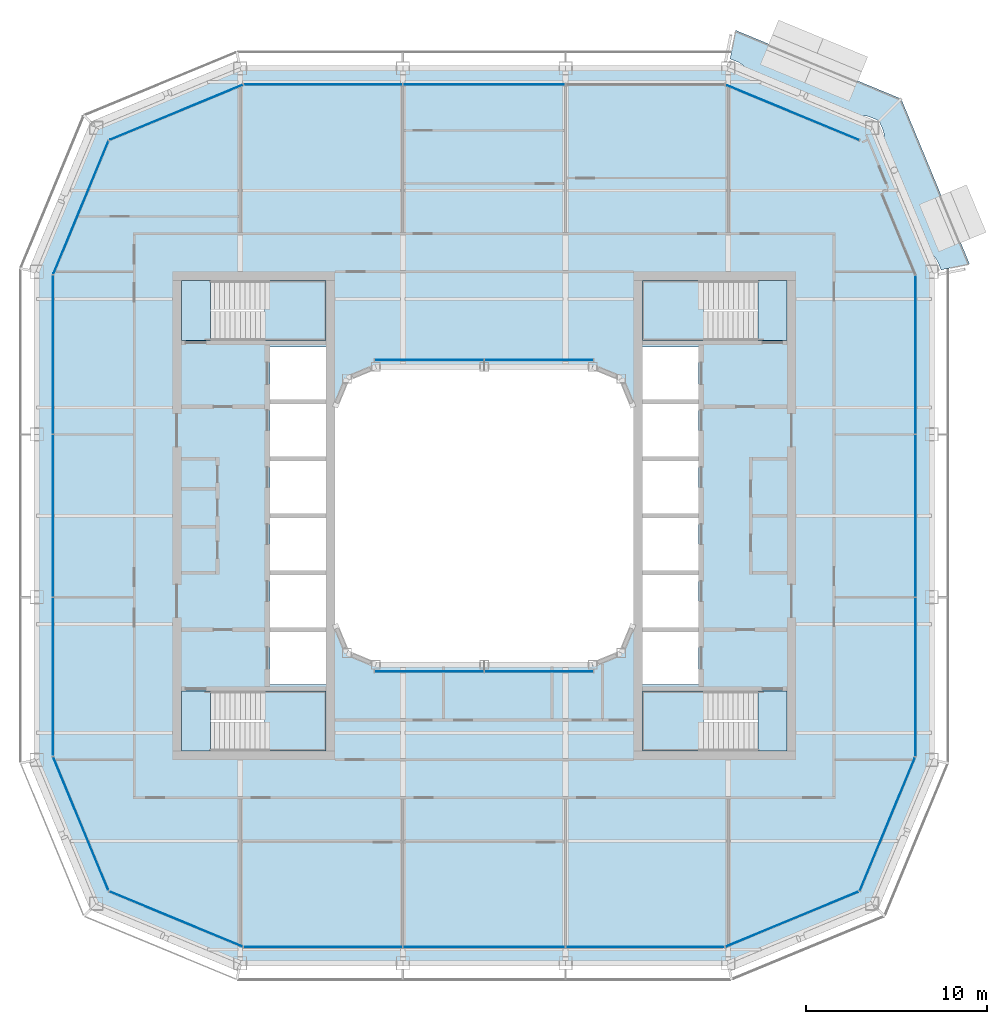
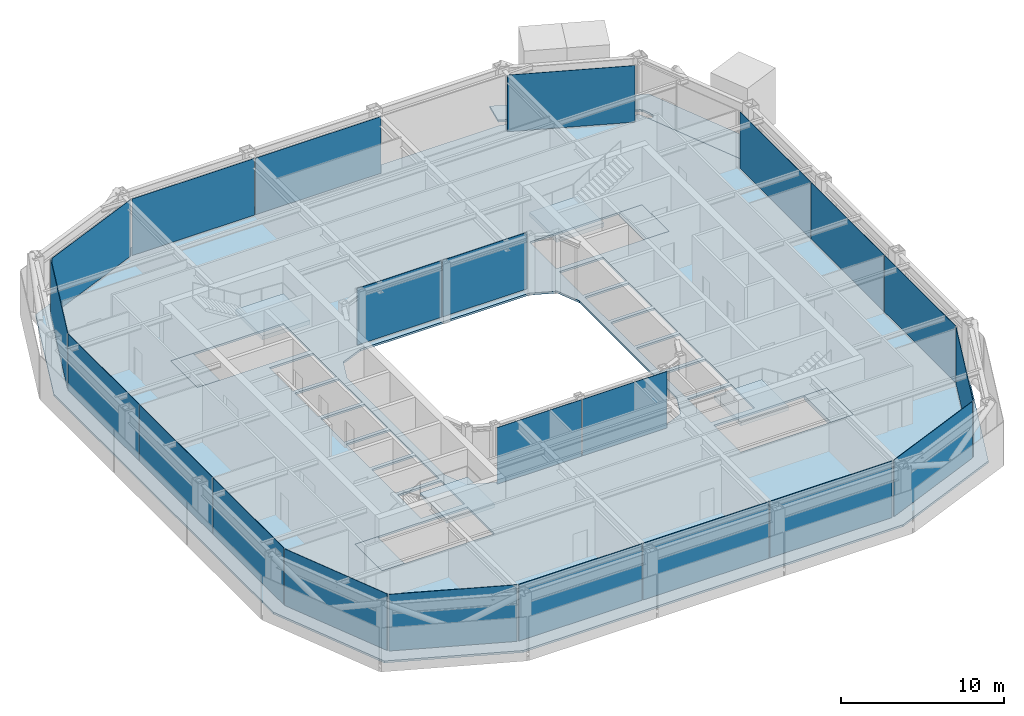
# One storey, part 9 of 20: 22 plates, 10 slabs, 17 elements without a shape of their own.
"""IFC4 building model written with IfcOpenShell, lengths in metres."""

import ifcopenshell
import ifcopenshell.guid

model = None  # the IFC model being written
_history = None  # IfcOwnerHistory: only IFC2X3 demands one
_inside = {}  # id of a spatial element -> (the spatial element, [elements in it])
_under = {}  # id of a project, library or spatial element -> (it, [spatial elements below it])
_declared = {}  # id of a project -> (the project, [libraries it declares])
_typed = {}  # id of a type object -> (the type object, [elements of that type])
_made_of = {}  # id of a material, layer set ... -> (it, [elements and type objects made of it])


def new_model(schema):
    """Start an empty IFC model of exactly this schema.

    Asked for "IFC4X3", IfcOpenShell would pick the latest addendum, in which some entities
    have other attributes; the version numbers below select the first issue.
    IFC2X3 requires an IfcOwnerHistory on every rooted entity: one is made here for all.
    """
    global model, _history
    if schema == "IFC4X3":
        model = ifcopenshell.file(schema_version=(4, 3, 0, 0))
    else:
        model = ifcopenshell.file(schema=schema)
    _inside.clear()
    _under.clear()
    _declared.clear()
    _typed.clear()
    _made_of.clear()
    _history = None
    if model.schema == "IFC2X3":
        org = make("IfcOrganization", Name="unknown")
        user = make(
            "IfcPersonAndOrganization",
            ThePerson=make("IfcPerson", FamilyName="unknown"),
            TheOrganization=org,
        )
        app = make(
            "IfcApplication",
            ApplicationDeveloper=org,
            Version="unknown",
            ApplicationFullName="unknown",
            ApplicationIdentifier="unknown",
        )
        _history = make(
            "IfcOwnerHistory",
            OwningUser=user,
            OwningApplication=app,
            ChangeAction="ADDED",
            CreationDate=0,
        )
    return model


def make(cls, **values):
    """One entity of the class cls with the attributes given. An attribute that is None is left unset."""
    return model.create_entity(
        cls, **{name: value for name, value in values.items() if value is not None}
    )


def rooted(cls, **values):
    """An entity with a GlobalId (a new one), such as an element, a storey or a relation."""
    return make(cls, GlobalId=ifcopenshell.guid.new(), OwnerHistory=_history, **values)


def si_unit(unit_type, name, prefix=None):
    """IfcSIUnit, for example si_unit("LENGTHUNIT", "METRE", prefix="MILLI")."""
    return make("IfcSIUnit", UnitType=unit_type, Prefix=prefix, Name=name)


def assignment(units):
    """IfcUnitAssignment: the units of a project."""
    return None if units is None else make("IfcUnitAssignment", Units=units)


def point(xyz):
    """IfcCartesianPoint."""
    return None if xyz is None else make("IfcCartesianPoint", Coordinates=xyz)


def direction(xyz):
    """IfcDirection."""
    return None if xyz is None else make("IfcDirection", DirectionRatios=xyz)


def frame(location, z_axis=None, x_axis=None):
    """IfcAxis2Placement3D, a coordinate frame: its origin and axes. An axis left out is left unset."""
    return make(
        "IfcAxis2Placement3D",
        Location=point(location),
        Axis=direction(z_axis),
        RefDirection=direction(x_axis),
    )


def frame_2d(location, x_axis=None):
    """IfcAxis2Placement2D, a coordinate frame in the plane: its origin and x axis."""
    return make(
        "IfcAxis2Placement2D", Location=point(location), RefDirection=direction(x_axis)
    )


def origin():
    """The frame at (0, 0, 0) with its axes left unset."""
    return frame((0.0, 0.0, 0.0))


def origin_2d():
    """The frame at (0, 0) in the plane with its x axis left unset."""
    return frame_2d((0.0, 0.0))


def place(relative_to, where):
    """IfcLocalPlacement: puts the frame where relative to a parent placement (None: the world)."""
    return make(
        "IfcLocalPlacement", PlacementRelTo=relative_to, RelativePlacement=where
    )


def context(
    kind, dimensions, precision=None, world=None, true_north=None, identifier=None
):
    """IfcGeometricRepresentationContext, for example the 3D "Model" context."""
    return make(
        "IfcGeometricRepresentationContext",
        ContextIdentifier=identifier,
        ContextType=kind,
        CoordinateSpaceDimension=dimensions,
        Precision=precision,
        WorldCoordinateSystem=world,
        TrueNorth=true_north,
    )


def subcontext(parent, identifier, kind, view, scale=None):
    """IfcGeometricRepresentationSubContext, for example "Body" below "Model"."""
    return make(
        "IfcGeometricRepresentationSubContext",
        ContextIdentifier=identifier,
        ContextType=kind,
        ParentContext=parent,
        TargetScale=scale,
        TargetView=view,
    )


def project(units=None, contexts=None):
    """IfcProject with its units and contexts."""
    return rooted(
        "IfcProject",
        Name="project",
        RepresentationContexts=contexts,
        UnitsInContext=assignment(units),
    )


def spatial(cls, under=None, at=None, **own):
    """A site, building, storey or space (cls), placed at a placement, below another one or the project."""
    s = rooted(cls, ObjectPlacement=at, **own)
    if under is not None:
        _under.setdefault(under.id(), (under, []))[1].append(s)
    return s


def polyline(points):
    """IfcPolyline through the points."""
    return make("IfcPolyline", Points=[point(p) for p in points])


def profile(cls, at=None, kind="AREA", **sizes):
    """A parametric profile (cls). Its sizes go by their IFC names, for example OverallWidth=200.0."""
    return make(cls, ProfileType=kind, Position=at, **sizes)


def rectangle(**sizes):
    """IfcRectangleProfileDef."""
    return profile("IfcRectangleProfileDef", **sizes)


def outline(outer, holes=None, kind="AREA"):
    """IfcArbitraryClosedProfileDef: a profile drawn as a closed curve; with holes, ...WithVoids."""
    if holes is None:
        return make("IfcArbitraryClosedProfileDef", ProfileType=kind, OuterCurve=outer)
    return make(
        "IfcArbitraryProfileDefWithVoids",
        ProfileType=kind,
        OuterCurve=outer,
        InnerCurves=holes,
    )


def extrude(swept, where, along, depth):
    """IfcExtrudedAreaSolid: the profile swept, set in the frame where, extruded along a direction by depth."""
    return make(
        "IfcExtrudedAreaSolid",
        SweptArea=swept,
        Position=where,
        ExtrudedDirection=direction(along),
        Depth=depth,
    )


def shape(context_of_items, identifier, shape_type, items):
    """IfcShapeRepresentation: the items that make up one representation, for example the "Body"."""
    return make(
        "IfcShapeRepresentation",
        ContextOfItems=context_of_items,
        RepresentationIdentifier=identifier,
        RepresentationType=shape_type,
        Items=items,
    )


def material(Name=None, Category=None):
    """IfcMaterial."""
    return make("IfcMaterial", Name=Name, Category=Category)


def layer(
    of_material, thickness, ventilated=None, Name=None, Category=None, Priority=None
):
    """IfcMaterialLayer: one layer of a wall or slab, of a material (None: an air gap)."""
    return make(
        "IfcMaterialLayer",
        Material=of_material,
        LayerThickness=thickness,
        IsVentilated=ventilated,
        Name=Name,
        Category=Category,
        Priority=Priority,
    )


def layer_set(layers, Name=None):
    """IfcMaterialLayerSet."""
    return make("IfcMaterialLayerSet", MaterialLayers=layers, LayerSetName=Name)


def made_of(thing, what):
    """Note that an element or type object is made of a material, layer set ...; save() writes the relation."""
    if what is not None:
        _made_of.setdefault(what.id(), (what, []))[1].append(thing)
    return thing


def type_object(cls, material=None, **own):
    """A type object (cls), such as IfcWallType, which elements share."""
    return made_of(rooted(cls, **own), material)


def element(
    cls,
    number,
    at=None,
    inside=None,
    cuts=None,
    type_object=None,
    material=None,
    context=None,
    identifier="Body",
    shape_type=None,
    held_by="IfcProductDefinitionShape",
    body=None,
    shapes=None,
    **own,
):
    """One element of the class cls, such as IfcWall. Its Tag is "e" and its number.

    at: its placement. inside: the storey or other place that contains it. cuts: it is an
    opening in that element (IfcRelVoidsElement). A single representation is given by context,
    identifier, shape_type and body (its items); several are given by shapes. held_by: the class
    of the entity that holds the representations. save() writes the other relations.
    """
    e = rooted(cls, Tag="e%d" % number, ObjectPlacement=at, **own)
    if body is not None:
        shapes = [shape(context, identifier, shape_type, body)]
    if shapes is not None:
        e.Representation = make(held_by, Representations=shapes)
    if inside is not None:
        _inside.setdefault(inside.id(), (inside, []))[1].append(e)
    if cuts is not None:
        rooted(
            "IfcRelVoidsElement", RelatingBuildingElement=cuts, RelatedOpeningElement=e
        )
    if type_object is not None:
        _typed.setdefault(type_object.id(), (type_object, []))[1].append(e)
    return made_of(e, material)


def aggregate(whole, parts):
    """IfcRelAggregates: a whole, such as a stair, and the parts it consists of."""
    return rooted("IfcRelAggregates", RelatingObject=whole, RelatedObjects=parts)


def save(model, path):
    """Write the relations noted so far, then the file.

    IfcRelAggregates (storeys below a building ...), IfcRelContainedInSpatialStructure (elements
    in a storey), IfcRelDefinesByType, IfcRelAssociatesMaterial and IfcRelDeclares: one each for
    every whole, place, type object, material and project.
    """
    for whole, parts in _under.values():
        aggregate(whole, parts)
    for where, things in _inside.values():
        rooted(
            "IfcRelContainedInSpatialStructure",
            RelatedElements=things,
            RelatingStructure=where,
        )
    for kind, things in _typed.values():
        rooted("IfcRelDefinesByType", RelatedObjects=things, RelatingType=kind)
    for what, things in _made_of.values():
        rooted("IfcRelAssociatesMaterial", RelatedObjects=things, RelatingMaterial=what)
    for by, libraries in _declared.values():
        rooted("IfcRelDeclares", RelatingContext=by, RelatedDefinitions=libraries)
    model.write(path)


model = new_model("IFC4")

# Units and contexts
model_context = context("Model", 3, precision=1e-05, world=origin(), true_north=direction((0.0, 1.0)))
body_context = subcontext(model_context, "Body", "Model", "MODEL_VIEW")
ifc_project = project(units=[si_unit("LENGTHUNIT", "METRE"), si_unit("AREAUNIT", "SQUARE_METRE"), si_unit("VOLUMEUNIT", "CUBIC_METRE"), si_unit("PLANEANGLEUNIT", "RADIAN"), si_unit("MASSUNIT", "GRAM", prefix="KILO")], contexts=[model_context])

# Site, building, storey
site_placement = place(None, origin())
site = spatial("IfcSite", under=ifc_project, at=site_placement, CompositionType="ELEMENT")
building_placement = place(site_placement, origin())
building = spatial("IfcBuilding", under=site, at=building_placement, Name="Siwar Civic Tower", CompositionType="ELEMENT")
storey_placement = place(building_placement, frame((0.0, 0.0, 307.699951171875)))
storey = spatial("IfcBuildingStorey", under=building, at=storey_placement, Name="L66", CompositionType="ELEMENT", Elevation=307.699951171875)

# Stair, slabs
ifc_material_1 = material(Name="Concrete C40/50", Category="concrete")
stair_type = type_object("IfcStairType", Name="CORE-STAIR", PredefinedType="TWO_STRAIGHT_RUN_STAIR", material=ifc_material_1)
stair_1_placement = place(storey_placement, origin())
stair_1 = element("IfcStair", 1, at=stair_1_placement, inside=storey, type_object=stair_type, Name="Exit stair ST1", PredefinedType="TWO_STRAIGHT_RUN_STAIR")
ifc_material_2 = material(Name="Concrete C40/50", Category="concrete")
ifc_layer_1 = layer(ifc_material_2, 0.300048828125)
ifc_layer_set_1 = layer_set([ifc_layer_1], Name="Concrete C40/50")
slab_type_1 = type_object("IfcSlabType", Name="CORE-STAIR-LANDING", PredefinedType="LANDING", material=ifc_layer_set_1)
slab_1_placement = place(storey_placement, frame((0.0, 0.0, -0.300048828125)))
slab_1 = element("IfcSlab", 2, at=slab_1_placement, type_object=slab_type_1, Name="ST1 landing 1", PredefinedType="LANDING", context=body_context, shape_type="SweptSolid", body=[
    extrude(outline(polyline([(-15.14990234375, 13.0), (-16.75, 13.0), (-16.75, 9.699951171875), (-15.14990234375, 9.699951171875), (-15.14990234375, 13.0)])), origin(), (0.0, 0.0, 1.0), 0.300048828125),
])
slab_2_placement = place(storey_placement, frame((0.0, 0.0, 1.949951171875)))
slab_2 = element("IfcSlab", 3, at=slab_2_placement, type_object=slab_type_1, Name="ST1 landing 2", PredefinedType="LANDING", context=body_context, shape_type="SweptSolid", body=[
    extrude(outline(polyline([(-8.75, 13.0), (-12.139892578125, 13.0), (-12.139892578125, 9.699951171875), (-8.75, 9.699951171875), (-8.75, 13.0)])), origin(), (0.0, 0.0, 1.0), 0.300048828125),
])
aggregate(stair_1, [slab_1, slab_2])

stair_2_placement = place(storey_placement, origin())
stair_2 = element("IfcStair", 4, at=stair_2_placement, inside=storey, type_object=stair_type, Name="Exit stair ST2", PredefinedType="TWO_STRAIGHT_RUN_STAIR")
slab_3_placement = place(storey_placement, frame((0.0, 0.0, -0.300048828125)))
slab_3 = element("IfcSlab", 5, at=slab_3_placement, type_object=slab_type_1, Name="ST2 landing 1", PredefinedType="LANDING", context=body_context, shape_type="SweptSolid", body=[
    extrude(outline(polyline([(-15.14990234375, -9.699951171875), (-16.75, -9.699951171875), (-16.75, -13.0), (-15.14990234375, -13.0), (-15.14990234375, -9.699951171875)])), origin(), (0.0, 0.0, 1.0), 0.300048828125),
])
slab_4_placement = place(storey_placement, frame((0.0, 0.0, 1.949951171875)))
slab_4 = element("IfcSlab", 6, at=slab_4_placement, type_object=slab_type_1, Name="ST2 landing 2", PredefinedType="LANDING", context=body_context, shape_type="SweptSolid", body=[
    extrude(outline(polyline([(-8.75, -9.699951171875), (-12.139892578125, -9.699951171875), (-12.139892578125, -13.0), (-8.75, -13.0), (-8.75, -9.699951171875)])), origin(), (0.0, 0.0, 1.0), 0.300048828125),
])
aggregate(stair_2, [slab_3, slab_4])

stair_3_placement = place(storey_placement, origin())
stair_3 = element("IfcStair", 7, at=stair_3_placement, inside=storey, type_object=stair_type, Name="Exit stair ST3", PredefinedType="TWO_STRAIGHT_RUN_STAIR")
slab_5_placement = place(storey_placement, frame((0.0, 0.0, -0.300048828125)))
slab_5 = element("IfcSlab", 8, at=slab_5_placement, type_object=slab_type_1, Name="ST3 landing 1", PredefinedType="LANDING", context=body_context, shape_type="SweptSolid", body=[
    extrude(outline(polyline([(15.14990234375, 9.699951171875), (16.75, 9.699951171875), (16.75, 13.0), (15.14990234375, 13.0), (15.14990234375, 9.699951171875)])), origin(), (0.0, 0.0, 1.0), 0.300048828125),
])
slab_6_placement = place(storey_placement, frame((0.0, 0.0, 1.949951171875)))
slab_6 = element("IfcSlab", 9, at=slab_6_placement, type_object=slab_type_1, Name="ST3 landing 2", PredefinedType="LANDING", context=body_context, shape_type="SweptSolid", body=[
    extrude(outline(polyline([(8.75, 9.699951171875), (12.139892578125, 9.699951171875), (12.139892578125, 13.0), (8.75, 13.0), (8.75, 9.699951171875)])), origin(), (0.0, 0.0, 1.0), 0.300048828125),
])
aggregate(stair_3, [slab_5, slab_6])

stair_4_placement = place(storey_placement, origin())
stair_4 = element("IfcStair", 10, at=stair_4_placement, inside=storey, type_object=stair_type, Name="Exit stair ST4", PredefinedType="TWO_STRAIGHT_RUN_STAIR")
slab_7_placement = place(storey_placement, frame((0.0, 0.0, -0.300048828125)))
slab_7 = element("IfcSlab", 11, at=slab_7_placement, type_object=slab_type_1, Name="ST4 landing 1", PredefinedType="LANDING", context=body_context, shape_type="SweptSolid", body=[
    extrude(outline(polyline([(15.14990234375, -13.0), (16.75, -13.0), (16.75, -9.699951171875), (15.14990234375, -9.699951171875), (15.14990234375, -13.0)])), origin(), (0.0, 0.0, 1.0), 0.300048828125),
])
slab_8_placement = place(storey_placement, frame((0.0, 0.0, 1.949951171875)))
slab_8 = element("IfcSlab", 12, at=slab_8_placement, type_object=slab_type_1, Name="ST4 landing 2", PredefinedType="LANDING", context=body_context, shape_type="SweptSolid", body=[
    extrude(outline(polyline([(8.75, -13.0), (12.139892578125, -13.0), (12.139892578125, -9.699951171875), (8.75, -9.699951171875), (8.75, -13.0)])), origin(), (0.0, 0.0, 1.0), 0.300048828125),
])
aggregate(stair_4, [slab_7, slab_8])

# Slab
ifc_material_3 = material(Name="Concrete C40/50", Category="concrete")
ifc_layer_2 = layer(ifc_material_3, 0.14990234375)
ifc_layer_set_2 = layer_set([ifc_layer_2], Name="Concrete C40/50")
slab_type_2 = type_object("IfcSlabType", Name="ENV-BALCONY DECK 150", PredefinedType="FLOOR", material=ifc_layer_set_2)
slab_9_placement = place(storey_placement, frame((0.0, 0.0, -0.1494140625)))
element("IfcSlab", 13, at=slab_9_placement, inside=storey, type_object=slab_type_2, Name="Tree balcony deck NE", PredefinedType="FLOOR", context=body_context, shape_type="SweptSolid", body=[
    extrude(outline(polyline([(21.88623046875, 21.743896484375), (21.888671875, 21.738525390625), (21.888671875, 21.738525390625), (21.8955078125, 21.72216796875), (21.949951171875, 21.5908203125), (22.014892578125, 21.43505859375), (22.035400390625, 21.3857421875), (22.042236328125, 21.369384765625), (22.04296875, 21.367431640625), (22.06640625, 21.306396484375), (22.068115234375, 21.3017578125), (22.0849609375, 21.247802734375), (22.086181640625, 21.243408203125), (22.099853515625, 21.1884765625), (22.101318359375, 21.181396484375), (22.108154296875, 21.134033203125), (22.1083984375, 21.1328125), (22.11572265625, 21.07666015625), (22.1162109375, 21.070068359375), (22.1162109375, 21.0634765625), (22.112060546875, 20.975830078125), (22.11083984375, 20.965087890625), (22.103271484375, 20.92578125), (22.101318359375, 20.91796875), (22.0986328125, 20.910400390625), (22.08544921875, 20.8798828125), (22.08349609375, 20.875732421875), (22.068603515625, 20.84619140625), (22.06494140625, 20.839599609375), (22.060546875, 20.833251953125), (22.055419921875, 20.82763671875), (22.03564453125, 20.80712890625), (22.030517578125, 20.802490234375), (22.02490234375, 20.798095703125), (22.01904296875, 20.794189453125), (22.0126953125, 20.791015625), (21.988525390625, 20.780029296875), (21.984375, 20.7783203125), (21.959716796875, 20.76904296875), (21.952880859375, 20.7666015625), (21.946044921875, 20.76513671875), (21.93896484375, 20.76416015625), (21.931884765625, 20.763916015625), (21.903564453125, 20.764404296875), (21.89599609375, 20.764892578125), (21.888427734375, 20.76611328125), (21.881103515625, 20.76806640625), (21.849609375, 20.778564453125), (21.845458984375, 20.780029296875), (21.814453125, 20.792236328125), (21.80712890625, 20.795654296875), (21.800048828125, 20.7998046875), (21.766845703125, 20.822021484375), (21.758544921875, 20.82861328125), (21.693359375, 20.887451171875), (21.688720703125, 20.89208984375), (21.6875, 20.8935546875), (24.516357421875, 14.063720703125), (24.51123046875, 14.103759765625), (24.5107421875, 14.1103515625), (24.5107421875, 14.116943359375), (24.514892578125, 14.20458984375), (24.51611328125, 14.21533203125), (24.523681640625, 14.254638671875), (24.525634765625, 14.262451171875), (24.5283203125, 14.27001953125), (24.54150390625, 14.300537109375), (24.54345703125, 14.3046875), (24.558349609375, 14.33447265625), (24.56201171875, 14.341064453125), (24.56640625, 14.34716796875), (24.571533203125, 14.352783203125), (24.591064453125, 14.373291015625), (24.596435546875, 14.378173828125), (24.601806640625, 14.382568359375), (24.60791015625, 14.38623046875), (24.6142578125, 14.389404296875), (24.638427734375, 14.400390625), (24.642578125, 14.402099609375), (24.667236328125, 14.41162109375), (24.674072265625, 14.413818359375), (24.680908203125, 14.415283203125), (24.68798828125, 14.416259765625), (24.695068359375, 14.41650390625), (24.723388671875, 14.416015625), (24.73095703125, 14.41552734375), (24.738525390625, 14.414306640625), (24.745849609375, 14.412353515625), (24.77734375, 14.402099609375), (24.781494140625, 14.400634765625), (24.8125, 14.388427734375), (24.81982421875, 14.385009765625), (24.82666015625, 14.380859375), (24.860107421875, 14.3583984375), (24.868408203125, 14.351806640625), (24.93359375, 14.29296875), (24.938232421875, 14.288330078125), (24.942626953125, 14.283203125), (24.977294921875, 14.238525390625), (24.97802734375, 14.237548828125), (25.006591796875, 14.19921875), (25.0107421875, 14.193115234375), (25.0400390625, 14.144775390625), (25.042236328125, 14.140869140625), (25.068603515625, 14.0908203125), (25.07080078125, 14.08642578125), (25.09765625, 14.02685546875), (25.098388671875, 14.02490234375), (25.101806640625, 14.0166015625), (25.118896484375, 13.9755859375), (25.194091796875, 13.795166015625), (25.22802734375, 13.713134765625), (25.24169921875, 13.68017578125), (25.251953125, 13.65576171875), (25.251953125, 13.65576171875), (25.251953125, 13.65576171875), (25.251953125, 13.65576171875), (25.251953125, 13.65576171875), (25.2548828125, 13.64794921875), (25.25927734375, 13.632568359375), (25.260986328125, 13.625), (25.26220703125, 13.616943359375), (25.26318359375, 13.60205078125), (26.85009765625, 13.917724609375), (23.062255859375, 23.062255859375), (13.917724609375, 26.85009765625), (13.6015625, 25.2607421875), (13.61376953125, 25.2607421875), (13.620361328125, 25.2607421875), (13.627197265625, 25.259765625), (13.6337890625, 25.258544921875), (13.6455078125, 25.25537109375), (13.65576171875, 25.251953125), (13.68017578125, 25.24169921875), (13.713134765625, 25.22802734375), (13.795166015625, 25.194091796875), (13.9755859375, 25.118896484375), (14.0166015625, 25.101806640625), (14.02490234375, 25.098388671875), (14.02685546875, 25.09765625), (14.08642578125, 25.07080078125), (14.0908203125, 25.068603515625), (14.140869140625, 25.042236328125), (14.144775390625, 25.0400390625), (14.193115234375, 25.0107421875), (14.19921875, 25.006591796875), (14.237548828125, 24.97802734375), (14.238525390625, 24.977294921875), (14.283203125, 24.942626953125), (14.288330078125, 24.938232421875), (14.29296875, 24.93359375), (14.351806640625, 24.868408203125), (14.3583984375, 24.860107421875), (14.380859375, 24.82666015625), (14.385009765625, 24.81982421875), (14.388427734375, 24.8125), (14.400634765625, 24.781494140625), (14.402099609375, 24.77734375), (14.412353515625, 24.745849609375), (14.414306640625, 24.738525390625), (14.41552734375, 24.73095703125), (14.416015625, 24.723388671875), (14.41650390625, 24.695068359375), (14.416259765625, 24.68798828125), (14.415283203125, 24.680908203125), (14.413818359375, 24.674072265625), (14.41162109375, 24.667236328125), (14.402099609375, 24.642578125), (14.400390625, 24.638427734375), (14.389404296875, 24.6142578125), (14.38623046875, 24.60791015625), (14.382568359375, 24.601806640625), (14.378173828125, 24.596435546875), (14.373291015625, 24.591064453125), (14.352783203125, 24.571533203125), (14.34716796875, 24.56640625), (14.341064453125, 24.56201171875), (14.33447265625, 24.558349609375), (14.3046875, 24.54345703125), (14.300537109375, 24.54150390625), (14.27001953125, 24.5283203125), (14.262451171875, 24.525634765625), (14.254638671875, 24.523681640625), (14.21533203125, 24.51611328125), (14.20458984375, 24.514892578125), (14.116943359375, 24.5107421875), (14.1103515625, 24.5107421875), (14.103759765625, 24.51123046875), (14.063720703125, 24.516357421875), (20.8935546875, 21.6875), (20.89208984375, 21.688720703125), (20.887451171875, 21.693359375), (20.82861328125, 21.758544921875), (20.822021484375, 21.766845703125), (20.7998046875, 21.800048828125), (20.795654296875, 21.80712890625), (20.792236328125, 21.814453125), (20.780029296875, 21.845458984375), (20.778564453125, 21.849609375), (20.76806640625, 21.881103515625), (20.76611328125, 21.888427734375), (20.764892578125, 21.89599609375), (20.764404296875, 21.903564453125), (20.763916015625, 21.931884765625), (20.76416015625, 21.93896484375), (20.76513671875, 21.946044921875), (20.7666015625, 21.952880859375), (20.76904296875, 21.959716796875), (20.7783203125, 21.984375), (20.780029296875, 21.988525390625), (20.791015625, 22.0126953125), (20.794189453125, 22.01904296875), (20.798095703125, 22.02490234375), (20.802490234375, 22.030517578125), (20.80712890625, 22.03564453125), (20.82763671875, 22.055419921875), (20.833251953125, 22.060546875), (20.839599609375, 22.06494140625), (20.84619140625, 22.068603515625), (20.875732421875, 22.08349609375), (20.8798828125, 22.08544921875), (20.910400390625, 22.0986328125), (20.91796875, 22.101318359375), (20.92578125, 22.103271484375), (20.965087890625, 22.11083984375), (20.975830078125, 22.112060546875), (21.0634765625, 22.1162109375), (21.070068359375, 22.1162109375), (21.07666015625, 22.11572265625), (21.1328125, 22.1083984375), (21.134033203125, 22.108154296875), (21.181396484375, 22.101318359375), (21.1884765625, 22.099853515625), (21.243408203125, 22.086181640625), (21.247802734375, 22.0849609375), (21.3017578125, 22.068115234375), (21.306396484375, 22.06640625), (21.367431640625, 22.04296875), (21.369384765625, 22.042236328125), (21.3857421875, 22.035400390625), (21.43505859375, 22.014892578125), (21.5908203125, 21.949951171875), (21.656494140625, 21.922607421875), (21.72216796875, 21.8955078125), (21.738525390625, 21.888671875), (21.748046875, 21.8837890625), (21.7587890625, 21.87744140625), (21.76416015625, 21.873779296875), (21.76953125, 21.86962890625), (21.7744140625, 21.864990234375), (21.783447265625, 21.855712890625), (21.7880859375, 21.850341796875), (21.78857421875, 21.849609375), (21.7890625, 21.84912109375), (21.7890625, 21.848876953125), (21.794189453125, 21.8466796875), (21.800537109375, 21.84326171875), (21.806396484375, 21.839111328125), (21.818359375, 21.829833984375), (21.829833984375, 21.829833984375), (21.829833984375, 21.820556640625), (21.833251953125, 21.817626953125), (21.849365234375, 21.801025390625), (21.85302734375, 21.796875), (21.856689453125, 21.79248046875), (21.869873046875, 21.77392578125), (21.873046875, 21.76904296875), (21.875732421875, 21.76416015625), (21.88623046875, 21.743896484375)])), origin(), (0.0, 0.0, 1.0), 0.1494140625),
])

# Curtain wall, plates
ifc_material_4 = material(Name="Aluminium and glass", Category="aluminium")
ifc_layer_3 = layer(ifc_material_4, 0.159912109375)
ifc_layer_set_3 = layer_set([ifc_layer_3], Name="Aluminium and glass")
curtain_wall_type_1 = type_object("IfcCurtainWallType", Name="ENV-CW-D", PredefinedType="NOTDEFINED", material=ifc_layer_set_3)
curtain_wall_1_placement = place(storey_placement, origin())
curtain_wall_1 = element("IfcCurtainWall", 14, at=curtain_wall_1_placement, inside=storey, type_object=curtain_wall_type_1, Name="Curtain wall D S", PredefinedType="NOTDEFINED")
ifc_material_5 = material(Name="Glass clear laminated", Category="glass")
ifc_layer_4 = layer(ifc_material_5, 0.030029296875)
ifc_layer_set_4 = layer_set([ifc_layer_4], Name="Glass clear laminated")
plate_type_1 = type_object("IfcPlateType", Name="ENV-PANEL-D", PredefinedType="CURTAIN_PANEL", material=ifc_layer_set_4)
plate_1_placement = place(storey_placement, frame((-8.910400390625, -23.85009765625, 0.10009765625), z_axis=(0.0, 0.0, 1.0), x_axis=(1.0, 0.0, 0.0)))
plate_1 = element("IfcPlate", 15, at=plate_1_placement, type_object=plate_type_1, Name="Curtain panel D S 1", PredefinedType="CURTAIN_PANEL", context=body_context, shape_type="SweptSolid", body=[
    extrude(rectangle(XDim=8.760986328125, YDim=0.030029296875, at=origin_2d()), origin(), (0.0, 0.0, 1.0), 4.25),
])
plate_2_placement = place(storey_placement, frame((0.0, -23.85009765625, 0.10009765625), z_axis=(0.0, 0.0, 1.0), x_axis=(1.0, 0.0, 0.0)))
plate_2 = element("IfcPlate", 16, at=plate_2_placement, type_object=plate_type_1, Name="Curtain panel D S 2", PredefinedType="CURTAIN_PANEL", context=body_context, shape_type="SweptSolid", body=[
    extrude(rectangle(XDim=8.93994140625, YDim=0.030029296875, at=origin_2d()), origin(), (0.0, 0.0, 1.0), 4.25),
])
plate_3_placement = place(storey_placement, frame((8.876708984375, -23.85009765625, 0.10009765625), z_axis=(0.0, 0.0, 1.0), x_axis=(1.0, 0.0, 0.0)))
plate_3 = element("IfcPlate", 17, at=plate_3_placement, type_object=plate_type_1, Name="Curtain panel D S 3", PredefinedType="CURTAIN_PANEL", context=body_context, shape_type="SweptSolid", body=[
    extrude(rectangle(XDim=8.693115234375, YDim=0.030029296875, at=origin_2d()), origin(), (0.0, 0.0, 1.0), 4.25),
])
aggregate(curtain_wall_1, [plate_1, plate_2, plate_3])

curtain_wall_2_placement = place(storey_placement, origin())
curtain_wall_2 = element("IfcCurtainWall", 18, at=curtain_wall_2_placement, inside=storey, type_object=curtain_wall_type_1, Name="Curtain wall D E", PredefinedType="NOTDEFINED")
plate_4_placement = place(storey_placement, frame((23.85009765625, -8.910400390625, 0.10009765625), z_axis=(0.0, 0.0, 1.0), x_axis=(0.0, 1.0, 0.0)))
plate_4 = element("IfcPlate", 19, at=plate_4_placement, type_object=plate_type_1, Name="Curtain panel D E 1", PredefinedType="CURTAIN_PANEL", context=body_context, shape_type="SweptSolid", body=[
    extrude(rectangle(XDim=8.760986328125, YDim=0.030029296875, at=origin_2d()), origin(), (0.0, 0.0, 1.0), 4.25),
])
plate_5_placement = place(storey_placement, frame((23.85009765625, 0.0, 0.10009765625), z_axis=(0.0, 0.0, 1.0), x_axis=(0.0, 1.0, 0.0)))
plate_5 = element("IfcPlate", 20, at=plate_5_placement, type_object=plate_type_1, Name="Curtain panel D E 2", PredefinedType="CURTAIN_PANEL", context=body_context, shape_type="SweptSolid", body=[
    extrude(rectangle(XDim=8.93994140625, YDim=0.030029296875, at=origin_2d()), origin(), (0.0, 0.0, 1.0), 4.25),
])
plate_6_placement = place(storey_placement, frame((23.85009765625, 8.876708984375, 0.10009765625), z_axis=(0.0, 0.0, 1.0), x_axis=(0.0, 1.0, 0.0)))
plate_6 = element("IfcPlate", 21, at=plate_6_placement, type_object=plate_type_1, Name="Curtain panel D E 3", PredefinedType="CURTAIN_PANEL", context=body_context, shape_type="SweptSolid", body=[
    extrude(rectangle(XDim=8.693115234375, YDim=0.030029296875, at=origin_2d()), origin(), (0.0, 0.0, 1.0), 4.25),
])
aggregate(curtain_wall_2, [plate_4, plate_5, plate_6])

curtain_wall_3_placement = place(storey_placement, origin())
curtain_wall_3 = element("IfcCurtainWall", 22, at=curtain_wall_3_placement, inside=storey, type_object=curtain_wall_type_1, Name="Curtain wall D N", PredefinedType="NOTDEFINED")
plate_7_placement = place(storey_placement, frame((0.0, 23.85009765625, 0.10009765625), z_axis=(0.0, 0.0, 1.0), x_axis=(-1.0, 0.0, 0.0)))
plate_7 = element("IfcPlate", 23, at=plate_7_placement, type_object=plate_type_1, Name="Curtain panel D N 2", PredefinedType="CURTAIN_PANEL", context=body_context, shape_type="SweptSolid", body=[
    extrude(rectangle(XDim=8.93994140625, YDim=0.030029296875, at=origin_2d()), origin(), (0.0, 0.0, 1.0), 4.25),
])
plate_8_placement = place(storey_placement, frame((-8.876708984375, 23.85009765625, 0.10009765625), z_axis=(0.0, 0.0, 1.0), x_axis=(-1.0, 0.0, 0.0)))
plate_8 = element("IfcPlate", 24, at=plate_8_placement, type_object=plate_type_1, Name="Curtain panel D N 3", PredefinedType="CURTAIN_PANEL", context=body_context, shape_type="SweptSolid", body=[
    extrude(rectangle(XDim=8.693115234375, YDim=0.030029296875, at=origin_2d()), origin(), (0.0, 0.0, 1.0), 4.25),
])
aggregate(curtain_wall_3, [plate_7, plate_8])

curtain_wall_4_placement = place(storey_placement, origin())
curtain_wall_4 = element("IfcCurtainWall", 25, at=curtain_wall_4_placement, inside=storey, type_object=curtain_wall_type_1, Name="Curtain wall D W", PredefinedType="NOTDEFINED")
plate_9_placement = place(storey_placement, frame((-23.85009765625, 8.910400390625, 0.10009765625), z_axis=(0.0, 0.0, 1.0), x_axis=(0.0, -1.0, 0.0)))
plate_9 = element("IfcPlate", 26, at=plate_9_placement, type_object=plate_type_1, Name="Curtain panel D W 1", PredefinedType="CURTAIN_PANEL", context=body_context, shape_type="SweptSolid", body=[
    extrude(rectangle(XDim=8.760986328125, YDim=0.030029296875, at=origin_2d()), origin(), (0.0, 0.0, 1.0), 4.25),
])
plate_10_placement = place(storey_placement, frame((-23.85009765625, 0.0, 0.10009765625), z_axis=(0.0, 0.0, 1.0), x_axis=(0.0, -1.0, 0.0)))
plate_10 = element("IfcPlate", 27, at=plate_10_placement, type_object=plate_type_1, Name="Curtain panel D W 2", PredefinedType="CURTAIN_PANEL", context=body_context, shape_type="SweptSolid", body=[
    extrude(rectangle(XDim=8.93994140625, YDim=0.030029296875, at=origin_2d()), origin(), (0.0, 0.0, 1.0), 4.25),
])
plate_11_placement = place(storey_placement, frame((-23.85009765625, -8.876708984375, 0.10009765625), z_axis=(0.0, 0.0, 1.0), x_axis=(0.0, -1.0, 0.0)))
plate_11 = element("IfcPlate", 28, at=plate_11_placement, type_object=plate_type_1, Name="Curtain panel D W 3", PredefinedType="CURTAIN_PANEL", context=body_context, shape_type="SweptSolid", body=[
    extrude(rectangle(XDim=8.693115234375, YDim=0.030029296875, at=origin_2d()), origin(), (0.0, 0.0, 1.0), 4.25),
])
aggregate(curtain_wall_4, [plate_9, plate_10, plate_11])

# Curtain wall, plate
ifc_material_6 = material(Name="Aluminium clad insulated panel", Category="aluminium")
ifc_layer_5 = layer(ifc_material_6, 0.159912109375)
ifc_layer_set_5 = layer_set([ifc_layer_5], Name="Aluminium clad insulated panel")
curtain_wall_type_2 = type_object("IfcCurtainWallType", Name="ENV-CW-DX", PredefinedType="NOTDEFINED", material=ifc_layer_set_5)
curtain_wall_5_placement = place(storey_placement, origin())
curtain_wall_5 = element("IfcCurtainWall", 29, at=curtain_wall_5_placement, inside=storey, type_object=curtain_wall_type_2, Name="Curtain wall D SE1", PredefinedType="NOTDEFINED")
ifc_material_7 = material(Name="Aluminium clad insulated panel", Category="aluminium")
ifc_layer_6 = layer(ifc_material_7, 0.030029296875)
ifc_layer_set_6 = layer_set([ifc_layer_6], Name="Aluminium clad insulated panel")
plate_type_2 = type_object("IfcPlateType", Name="ENV-PANEL-DX", PredefinedType="CURTAIN_PANEL", material=ifc_layer_set_6)
plate_12_placement = place(storey_placement, frame((17.01220703125, -22.321044921875, 0.10009765625), z_axis=(0.0, 0.0, 1.0), x_axis=(0.923879532511, 0.382683432365, 0.0)))
plate_12 = element("IfcPlate", 30, at=plate_12_placement, type_object=plate_type_2, Name="Curtain panel D SE1 1", PredefinedType="CURTAIN_PANEL", context=body_context, shape_type="SweptSolid", body=[
    extrude(rectangle(XDim=7.9306640625, YDim=0.030029296875, at=origin_2d()), origin(), (0.0, 0.0, 1.0), 4.25),
])
aggregate(curtain_wall_5, [plate_12])

curtain_wall_6_placement = place(storey_placement, origin())
curtain_wall_6 = element("IfcCurtainWall", 31, at=curtain_wall_6_placement, inside=storey, type_object=curtain_wall_type_2, Name="Curtain wall D SE2", PredefinedType="NOTDEFINED")
plate_13_placement = place(storey_placement, frame((22.295166015625, -17.074951171875, 0.10009765625), z_axis=(0.0, 0.0, 1.0), x_axis=(0.382683432365, 0.923879532511, 0.0)))
plate_13 = element("IfcPlate", 32, at=plate_13_placement, type_object=plate_type_2, Name="Curtain panel D SE2 1", PredefinedType="CURTAIN_PANEL", context=body_context, shape_type="SweptSolid", body=[
    extrude(rectangle(XDim=7.9306640625, YDim=0.030029296875, at=origin_2d()), origin(), (0.0, 0.0, 1.0), 4.25),
])
aggregate(curtain_wall_6, [plate_13])

curtain_wall_7_placement = place(storey_placement, origin())
curtain_wall_7 = element("IfcCurtainWall", 33, at=curtain_wall_7_placement, inside=storey, type_object=curtain_wall_type_2, Name="Curtain wall D NE2", PredefinedType="NOTDEFINED")
plate_14_placement = place(storey_placement, frame((17.074951171875, 22.295166015625, 0.10009765625), z_axis=(0.0, 0.0, 1.0), x_axis=(-0.923879532511, 0.382683432365, 0.0)))
plate_14 = element("IfcPlate", 34, at=plate_14_placement, type_object=plate_type_2, Name="Curtain panel D NE2 1", PredefinedType="CURTAIN_PANEL", context=body_context, shape_type="SweptSolid", body=[
    extrude(rectangle(XDim=7.9306640625, YDim=0.030029296875, at=origin_2d()), origin(), (0.0, 0.0, 1.0), 4.25),
])
aggregate(curtain_wall_7, [plate_14])

curtain_wall_8_placement = place(storey_placement, origin())
curtain_wall_8 = element("IfcCurtainWall", 35, at=curtain_wall_8_placement, inside=storey, type_object=curtain_wall_type_2, Name="Curtain wall D NW1", PredefinedType="NOTDEFINED")
plate_15_placement = place(storey_placement, frame((-17.01220703125, 22.321044921875, 0.10009765625), z_axis=(0.0, 0.0, 1.0), x_axis=(-0.923879532511, -0.382683432365, 0.0)))
plate_15 = element("IfcPlate", 36, at=plate_15_placement, type_object=plate_type_2, Name="Curtain panel D NW1 1", PredefinedType="CURTAIN_PANEL", context=body_context, shape_type="SweptSolid", body=[
    extrude(rectangle(XDim=7.9306640625, YDim=0.030029296875, at=origin_2d()), origin(), (0.0, 0.0, 1.0), 4.25),
])
aggregate(curtain_wall_8, [plate_15])

curtain_wall_9_placement = place(storey_placement, origin())
curtain_wall_9 = element("IfcCurtainWall", 37, at=curtain_wall_9_placement, inside=storey, type_object=curtain_wall_type_2, Name="Curtain wall D NW2", PredefinedType="NOTDEFINED")
plate_16_placement = place(storey_placement, frame((-22.295166015625, 17.074951171875, 0.10009765625), z_axis=(0.0, 0.0, 1.0), x_axis=(-0.382683432365, -0.923879532511, 0.0)))
plate_16 = element("IfcPlate", 38, at=plate_16_placement, type_object=plate_type_2, Name="Curtain panel D NW2 1", PredefinedType="CURTAIN_PANEL", context=body_context, shape_type="SweptSolid", body=[
    extrude(rectangle(XDim=7.9306640625, YDim=0.030029296875, at=origin_2d()), origin(), (0.0, 0.0, 1.0), 4.25),
])
aggregate(curtain_wall_9, [plate_16])

curtain_wall_10_placement = place(storey_placement, origin())
curtain_wall_10 = element("IfcCurtainWall", 39, at=curtain_wall_10_placement, inside=storey, type_object=curtain_wall_type_2, Name="Curtain wall D SW1", PredefinedType="NOTDEFINED")
plate_17_placement = place(storey_placement, frame((-22.321044921875, -17.01220703125, 0.10009765625), z_axis=(0.0, 0.0, 1.0), x_axis=(0.382683432365, -0.923879532511, 0.0)))
plate_17 = element("IfcPlate", 40, at=plate_17_placement, type_object=plate_type_2, Name="Curtain panel D SW1 1", PredefinedType="CURTAIN_PANEL", context=body_context, shape_type="SweptSolid", body=[
    extrude(rectangle(XDim=7.9306640625, YDim=0.030029296875, at=origin_2d()), origin(), (0.0, 0.0, 1.0), 4.25),
])
aggregate(curtain_wall_10, [plate_17])

curtain_wall_11_placement = place(storey_placement, origin())
curtain_wall_11 = element("IfcCurtainWall", 41, at=curtain_wall_11_placement, inside=storey, type_object=curtain_wall_type_2, Name="Curtain wall D SW2", PredefinedType="NOTDEFINED")
plate_18_placement = place(storey_placement, frame((-17.074951171875, -22.295166015625, 0.10009765625), z_axis=(0.0, 0.0, 1.0), x_axis=(0.923879532511, -0.382683432365, 0.0)))
plate_18 = element("IfcPlate", 42, at=plate_18_placement, type_object=plate_type_2, Name="Curtain panel D SW2 1", PredefinedType="CURTAIN_PANEL", context=body_context, shape_type="SweptSolid", body=[
    extrude(rectangle(XDim=7.9306640625, YDim=0.030029296875, at=origin_2d()), origin(), (0.0, 0.0, 1.0), 4.25),
])
aggregate(curtain_wall_11, [plate_18])

# Curtain wall, plates
ifc_material_8 = material(Name="Aluminium and glass", Category="aluminium")
ifc_layer_7 = layer(ifc_material_8, 0.179931640625)
ifc_layer_set_7 = layer_set([ifc_layer_7], Name="Aluminium and glass")
curtain_wall_type_3 = type_object("IfcCurtainWallType", Name="ENV-CW-W", PredefinedType="NOTDEFINED", material=ifc_layer_set_7)
curtain_wall_12_placement = place(storey_placement, origin())
curtain_wall_12 = element("IfcCurtainWall", 43, at=curtain_wall_12_placement, inside=storey, type_object=curtain_wall_type_3, Name="Curtain wall W WS", PredefinedType="NOTDEFINED")
ifc_material_9 = material(Name="Glass clear laminated", Category="glass")
ifc_layer_8 = layer(ifc_material_9, 0.031982421875)
ifc_layer_set_8 = layer_set([ifc_layer_8], Name="Glass clear laminated")
plate_type_3 = type_object("IfcPlateType", Name="ENV-PANEL-W", PredefinedType="CURTAIN_PANEL", material=ifc_layer_set_8)
plate_19_placement = place(storey_placement, frame((-3.035888671875, -8.610107421875, 0.10009765625), z_axis=(0.0, 0.0, 1.0), x_axis=(1.0, 0.0, 0.0)))
plate_19 = element("IfcPlate", 44, at=plate_19_placement, type_object=plate_type_3, Name="Curtain panel W WS 1", PredefinedType="CURTAIN_PANEL", context=body_context, shape_type="SweptSolid", body=[
    extrude(rectangle(XDim=6.01171875, YDim=0.031982421875, at=origin_2d()), origin(), (0.0, 0.0, 1.0), 4.25),
])
plate_20_placement = place(storey_placement, frame((3.035888671875, -8.610107421875, 0.10009765625), z_axis=(0.0, 0.0, 1.0), x_axis=(1.0, 0.0, 0.0)))
plate_20 = element("IfcPlate", 45, at=plate_20_placement, type_object=plate_type_3, Name="Curtain panel W WS 2", PredefinedType="CURTAIN_PANEL", context=body_context, shape_type="SweptSolid", body=[
    extrude(rectangle(XDim=6.01171875, YDim=0.031982421875, at=origin_2d()), origin(), (0.0, 0.0, 1.0), 4.25),
])
aggregate(curtain_wall_12, [plate_19, plate_20])

curtain_wall_13_placement = place(storey_placement, origin())
curtain_wall_13 = element("IfcCurtainWall", 46, at=curtain_wall_13_placement, inside=storey, type_object=curtain_wall_type_3, Name="Curtain wall W WN", PredefinedType="NOTDEFINED")
plate_21_placement = place(storey_placement, frame((3.035888671875, 8.610107421875, 0.10009765625), z_axis=(0.0, 0.0, 1.0), x_axis=(-1.0, 0.0, 0.0)))
plate_21 = element("IfcPlate", 47, at=plate_21_placement, type_object=plate_type_3, Name="Curtain panel W WN 1", PredefinedType="CURTAIN_PANEL", context=body_context, shape_type="SweptSolid", body=[
    extrude(rectangle(XDim=6.01171875, YDim=0.031982421875, at=origin_2d()), origin(), (0.0, 0.0, 1.0), 4.25),
])
plate_22_placement = place(storey_placement, frame((-3.035888671875, 8.610107421875, 0.10009765625), z_axis=(0.0, 0.0, 1.0), x_axis=(-1.0, 0.0, 0.0)))
plate_22 = element("IfcPlate", 48, at=plate_22_placement, type_object=plate_type_3, Name="Curtain panel W WN 2", PredefinedType="CURTAIN_PANEL", context=body_context, shape_type="SweptSolid", body=[
    extrude(rectangle(XDim=6.01171875, YDim=0.031982421875, at=origin_2d()), origin(), (0.0, 0.0, 1.0), 4.25),
])
aggregate(curtain_wall_13, [plate_21, plate_22])

# Slab
ifc_material_10 = material(Name="Concrete C40/50", Category="concrete")
ifc_layer_9 = layer(ifc_material_10, 0.14990234375)
ifc_layer_set_9 = layer_set([ifc_layer_9], Name="Concrete C40/50")
slab_type_3 = type_object("IfcSlabType", Name="STR-FLOOR-DECK-150", PredefinedType="FLOOR", material=ifc_layer_set_9)
slab_10_placement = place(storey_placement, frame((0.0, 0.0, -0.14990234375)))
element("IfcSlab", 49, at=slab_10_placement, inside=storey, type_object=slab_type_3, Name="L66/slab/1", PredefinedType="FLOOR", context=body_context, shape_type="SweptSolid", body=[
    extrude(outline(polyline([(-13.5, -24.75), (13.5, -24.75), (21.454833984375, -21.454833984375), (24.75, -13.5), (24.75, 13.5), (21.454833984375, 21.454833984375), (13.5, 24.75), (-13.5, 24.75), (-21.454833984375, 21.454833984375), (-24.75, 13.5), (-24.75, -13.5), (-21.454833984375, -21.454833984375), (-13.5, -24.75)]), holes=[polyline([(16.75, 13.0), (16.75, 9.699951171875), (8.75, 9.699951171875), (8.75, 13.0), (16.75, 13.0)]), polyline([(8.75, -9.699951171875), (16.75, -9.699951171875), (16.75, -13.0), (8.75, -13.0), (8.75, -9.699951171875)]), polyline([(11.85009765625, 9.324951171875), (11.85009765625, 6.425048828125), (8.75, 6.425048828125), (8.75, 9.324951171875), (11.85009765625, 9.324951171875)]), polyline([(8.75, 6.175048828125), (11.85009765625, 6.175048828125), (11.85009765625, 3.27490234375), (8.75, 3.27490234375), (8.75, 6.175048828125)]), polyline([(8.75, 3.02490234375), (11.85009765625, 3.02490234375), (11.85009765625, 0.125), (8.75, 0.125), (8.75, 3.02490234375)]), polyline([(8.75, -0.125), (11.85009765625, -0.125), (11.85009765625, -3.02490234375), (8.75, -3.02490234375), (8.75, -0.125)]), polyline([(8.75, -3.27490234375), (11.85009765625, -3.27490234375), (11.85009765625, -6.175048828125), (8.75, -6.175048828125), (8.75, -3.27490234375)]), polyline([(8.75, -6.425048828125), (11.85009765625, -6.425048828125), (11.85009765625, -9.324951171875), (8.75, -9.324951171875), (8.75, -6.425048828125)]), polyline([(-6.0, 8.25), (6.0, 8.25), (7.591064453125, 7.591064453125), (8.25, 6.0), (8.25, -6.0), (7.591064453125, -7.591064453125), (6.0, -8.25), (-6.0, -8.25), (-7.591064453125, -7.591064453125), (-8.25, -6.0), (-8.25, 6.0), (-7.591064453125, 7.591064453125), (-6.0, 8.25)]), polyline([(-8.75, -13.0), (-16.75, -13.0), (-16.75, -9.699951171875), (-8.75, -9.699951171875), (-8.75, -13.0)]), polyline([(-8.75, 9.699951171875), (-16.75, 9.699951171875), (-16.75, 13.0), (-8.75, 13.0), (-8.75, 9.699951171875)]), polyline([(-8.75, 6.425048828125), (-11.85009765625, 6.425048828125), (-11.85009765625, 9.324951171875), (-8.75, 9.324951171875), (-8.75, 6.425048828125)]), polyline([(-8.75, 3.27490234375), (-11.85009765625, 3.27490234375), (-11.85009765625, 6.175048828125), (-8.75, 6.175048828125), (-8.75, 3.27490234375)]), polyline([(-8.75, 0.125), (-11.85009765625, 0.125), (-11.85009765625, 3.02490234375), (-8.75, 3.02490234375), (-8.75, 0.125)]), polyline([(-8.75, -3.02490234375), (-11.85009765625, -3.02490234375), (-11.85009765625, -0.125), (-8.75, -0.125), (-8.75, -3.02490234375)]), polyline([(-8.75, -6.175048828125), (-11.85009765625, -6.175048828125), (-11.85009765625, -3.27490234375), (-8.75, -3.27490234375), (-8.75, -6.175048828125)]), polyline([(-8.75, -9.324951171875), (-11.85009765625, -9.324951171875), (-11.85009765625, -6.425048828125), (-8.75, -6.425048828125), (-8.75, -9.324951171875)])]), origin(), (0.0, 0.0, 1.0), 0.14990234375),
])

save(model, "model.ifc")
